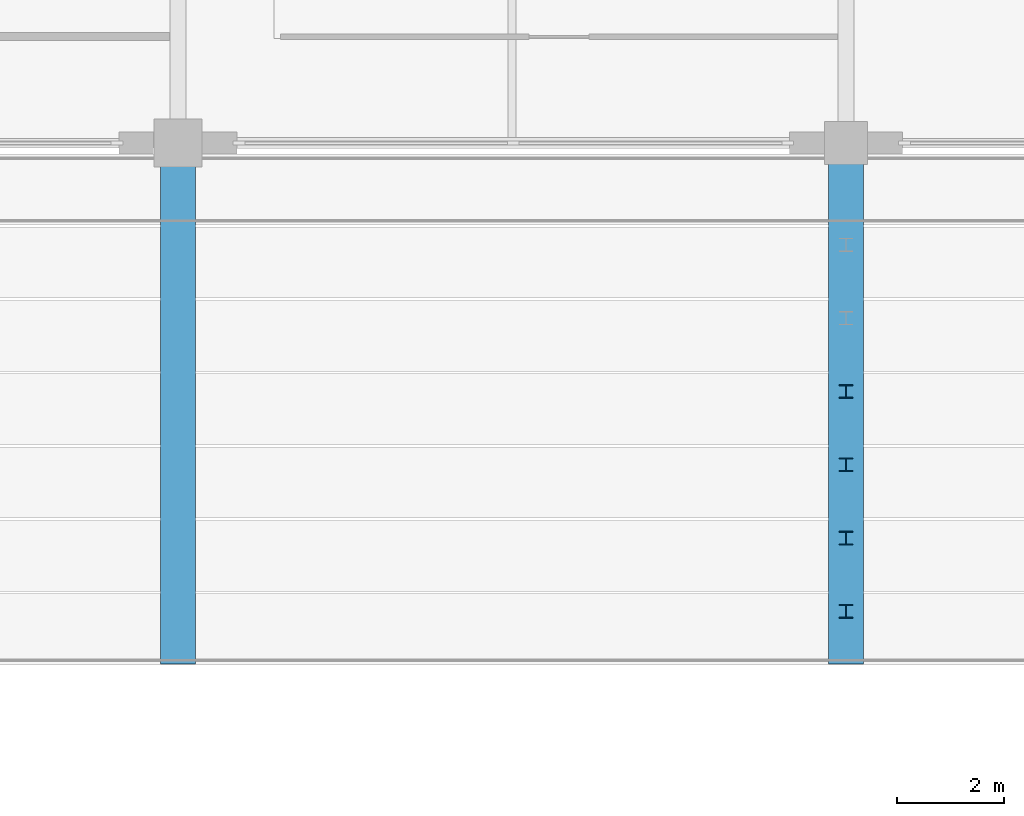
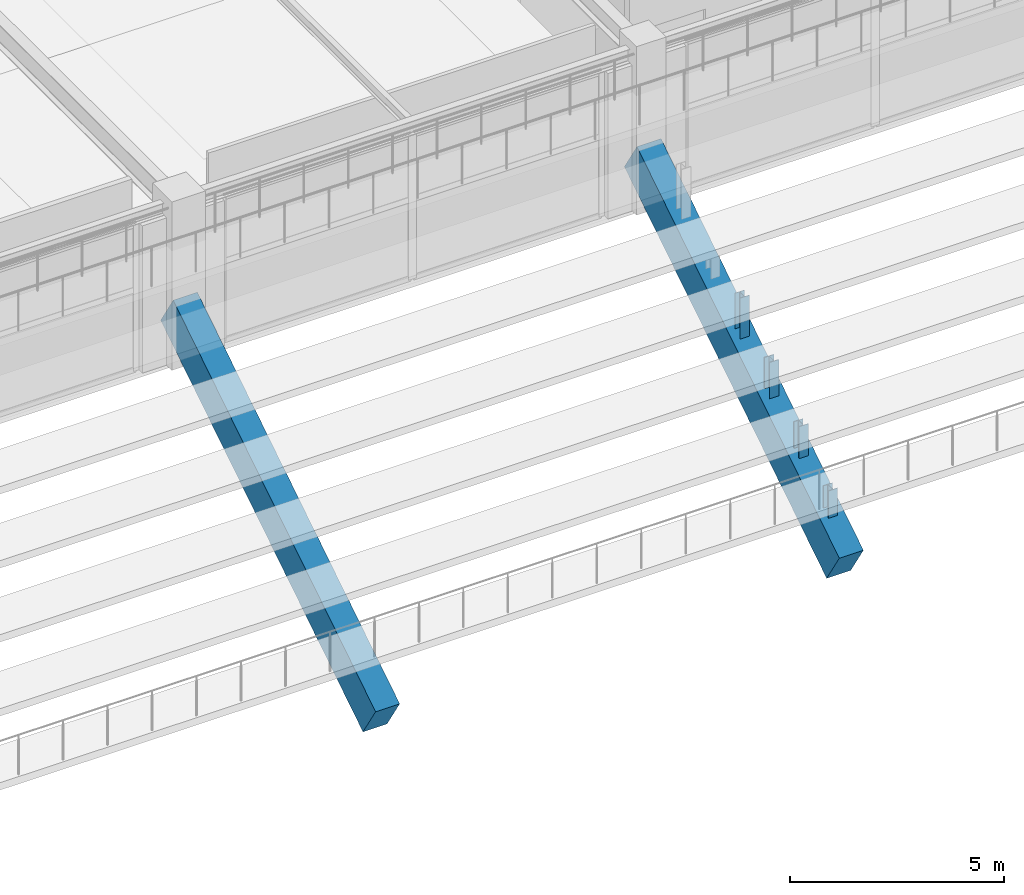
# One storey, part 42 of 134: 4 members, 2 beams.
"""IFC4 building model written with IfcOpenShell, lengths in metres."""

from ifc_helpers import new_model, si_unit, direction, frame, origin, origin_2d, place, context, subcontext, project, spatial, rectangle, i_section, extrude, material, material_profile, profile_set, type_object, element, save


model = new_model("IFC4")

# Units and contexts
model_context = context("Model", 3, precision=1e-05, world=origin(), true_north=direction((0.0, 1.0)))
body_context = subcontext(model_context, "Body", "Model", "MODEL_VIEW")
ifc_project = project(units=[si_unit("LENGTHUNIT", "METRE"), si_unit("AREAUNIT", "SQUARE_METRE"), si_unit("VOLUMEUNIT", "CUBIC_METRE"), si_unit("PLANEANGLEUNIT", "RADIAN"), si_unit("MASSUNIT", "GRAM", prefix="KILO")], contexts=[model_context])

# Site, building, storey
site_placement = place(None, origin())
site = spatial("IfcSite", under=ifc_project, at=site_placement, CompositionType="ELEMENT")
building_placement = place(site_placement, origin())
building = spatial("IfcBuilding", under=site, at=building_placement, Name="Kazenohara Klinker Stadium", CompositionType="ELEMENT")
storey_placement = place(building_placement, frame((0.0, 0.0, 5.39990234375)))
storey = spatial("IfcBuildingStorey", under=building, at=storey_placement, Name="L01", CompositionType="ELEMENT", Elevation=5.39990234375)

# Members
ifc_material_1 = material(Name="Steel S355", Category="steel")
ifc_material_profile_1 = material_profile(ifc_material_1, i_section(OverallWidth=0.25, OverallDepth=0.25, WebThickness=0.009033203125, FlangeThickness=0.013916015625, FilletRadius=0.012939453125, at=origin_2d()), Name="H-250x250x9x14")
ifc_profile_set_1 = profile_set([ifc_material_profile_1], Name="Steel S355")
member_type = type_object("IfcMemberType", Name="MEM-STR02", PredefinedType="STRUT", material=ifc_profile_set_1)
member_1_placement = place(storey_placement, frame((150.0, 127.352783203125, -1.333984375), z_axis=(0.0, 0.0, 1.0), x_axis=(1.0, 0.0, 0.0)))
element("IfcMember", 1, at=member_1_placement, inside=storey, type_object=member_type, Name="Precast tier riser stool LOWER-N-04-12", PredefinedType="STRUT", context=body_context, shape_type="SweptSolid", body=[
    extrude(i_section(OverallWidth=0.25, OverallDepth=0.25, WebThickness=0.009033203125, FlangeThickness=0.013916015625, FilletRadius=0.012939453125, at=origin_2d()), origin(), (0.0, 0.0, 1.0), 1.524169921875),
])
member_2_placement = place(storey_placement, frame((150.0, 125.9814453125, -2.20458984375), z_axis=(0.0, 0.0, 1.0), x_axis=(1.0, 0.0, 0.0)))
element("IfcMember", 2, at=member_2_placement, inside=storey, type_object=member_type, Name="Precast tier riser stool LOWER-N-05-12", PredefinedType="STRUT", context=body_context, shape_type="SweptSolid", body=[
    extrude(i_section(OverallWidth=0.25, OverallDepth=0.25, WebThickness=0.009033203125, FlangeThickness=0.013916015625, FilletRadius=0.012939453125, at=origin_2d()), origin(), (0.0, 0.0, 1.0), 1.394775390625),
])
member_3_placement = place(storey_placement, frame((150.0, 124.610107421875, -3.075439453125), z_axis=(0.0, 0.0, 1.0), x_axis=(1.0, 0.0, 0.0)))
element("IfcMember", 3, at=member_3_placement, inside=storey, type_object=member_type, Name="Precast tier riser stool LOWER-N-06-12", PredefinedType="STRUT", context=body_context, shape_type="SweptSolid", body=[
    extrude(i_section(OverallWidth=0.25, OverallDepth=0.25, WebThickness=0.009033203125, FlangeThickness=0.013916015625, FilletRadius=0.012939453125, at=origin_2d()), origin(), (0.0, 0.0, 1.0), 1.265625),
])
member_4_placement = place(storey_placement, frame((150.0, 123.238525390625, -3.9462890625), z_axis=(0.0, 0.0, 1.0), x_axis=(1.0, 0.0, 0.0)))
element("IfcMember", 4, at=member_4_placement, inside=storey, type_object=member_type, Name="Precast tier riser stool LOWER-N-07-12", PredefinedType="STRUT", context=body_context, shape_type="SweptSolid", body=[
    extrude(i_section(OverallWidth=0.25, OverallDepth=0.25, WebThickness=0.009033203125, FlangeThickness=0.013916015625, FilletRadius=0.012939453125, at=origin_2d()), origin(), (0.0, 0.0, 1.0), 1.136474609375),
])

# Beams
ifc_material_2 = material(Name="Precast concrete C50/60", Category="concrete")
ifc_material_profile_2 = material_profile(ifc_material_2, rectangle(XDim=0.64990234375, YDim=1.10009765625, at=origin_2d()), Name="PC-RAKER-650x1100")
ifc_profile_set_2 = profile_set([ifc_material_profile_2], Name="Precast concrete C50/60")
beam_type = type_object("IfcBeamType", Name="RAKER-RK01", PredefinedType="USERDEFINED", material=ifc_profile_set_2)
for number, where, z_axis, x_axis, name in (
    (5, (137.5, 132.0, 1.401611328125), (0.0, -0.844211562005, -0.536010110518), (1.0, 0.0, 0.0), "Precast bowl raker girder RK01 LOWER North 12"),
    (6, (150.0, 132.0, 1.401611328125), (0.0, -0.844211562005, -0.536010110518), (1.0, 0.0, 0.0), "Precast bowl raker girder RK01 LOWER North 13"),
):
    element("IfcBeam", number, at=place(storey_placement, frame(where, z_axis=z_axis, x_axis=x_axis)), inside=storey, type_object=beam_type, Name=name, ObjectType="RAKER", PredefinedType="USERDEFINED", context=body_context, shape_type="SweptSolid", body=[
        extrude(rectangle(XDim=0.64990234375, YDim=1.10009765625, at=origin_2d()), origin(), (0.0, 0.0, 1.0), 11.19384765625),
    ])

save(model, "model.ifc")
